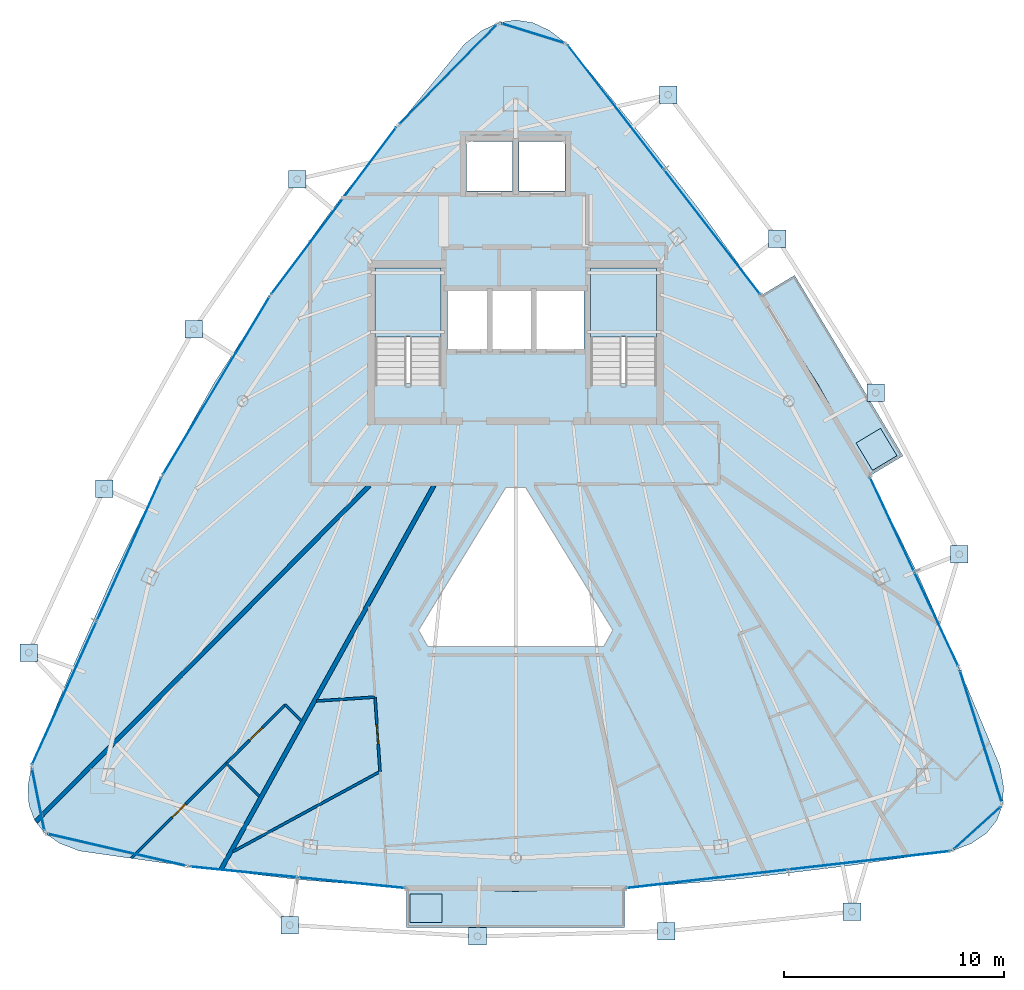
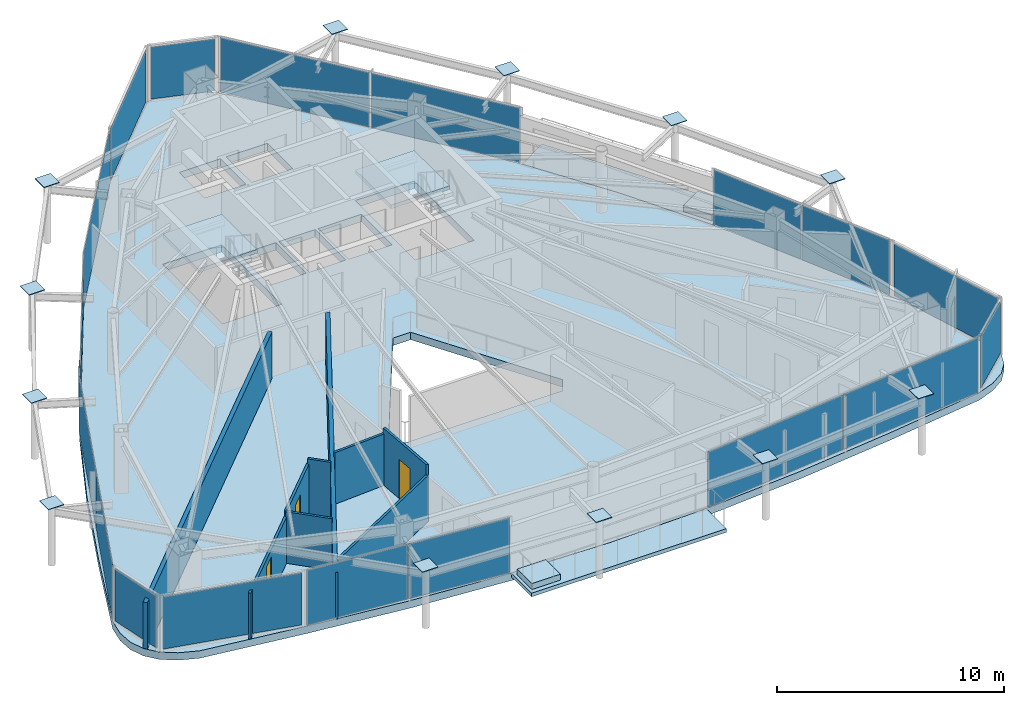
# One storey, part 24 of 29: 30 plates, 9 walls, 7 slabs, 3 doors, 3 openings, 15 elements without a shape of their own.
"""IFC4 building model written with IfcOpenShell, lengths in metres."""

import ifcopenshell
import ifcopenshell.guid

model = None  # the IFC model being written
_history = None  # IfcOwnerHistory: only IFC2X3 demands one
_inside = {}  # id of a spatial element -> (the spatial element, [elements in it])
_under = {}  # id of a project, library or spatial element -> (it, [spatial elements below it])
_declared = {}  # id of a project -> (the project, [libraries it declares])
_typed = {}  # id of a type object -> (the type object, [elements of that type])
_made_of = {}  # id of a material, layer set ... -> (it, [elements and type objects made of it])


def new_model(schema):
    """Start an empty IFC model of exactly this schema.

    Asked for "IFC4X3", IfcOpenShell would pick the latest addendum, in which some entities
    have other attributes; the version numbers below select the first issue.
    IFC2X3 requires an IfcOwnerHistory on every rooted entity: one is made here for all.
    """
    global model, _history
    if schema == "IFC4X3":
        model = ifcopenshell.file(schema_version=(4, 3, 0, 0))
    else:
        model = ifcopenshell.file(schema=schema)
    _inside.clear()
    _under.clear()
    _declared.clear()
    _typed.clear()
    _made_of.clear()
    _history = None
    if model.schema == "IFC2X3":
        org = make("IfcOrganization", Name="unknown")
        user = make(
            "IfcPersonAndOrganization",
            ThePerson=make("IfcPerson", FamilyName="unknown"),
            TheOrganization=org,
        )
        app = make(
            "IfcApplication",
            ApplicationDeveloper=org,
            Version="unknown",
            ApplicationFullName="unknown",
            ApplicationIdentifier="unknown",
        )
        _history = make(
            "IfcOwnerHistory",
            OwningUser=user,
            OwningApplication=app,
            ChangeAction="ADDED",
            CreationDate=0,
        )
    return model


def make(cls, **values):
    """One entity of the class cls with the attributes given. An attribute that is None is left unset."""
    return model.create_entity(
        cls, **{name: value for name, value in values.items() if value is not None}
    )


def rooted(cls, **values):
    """An entity with a GlobalId (a new one), such as an element, a storey or a relation."""
    return make(cls, GlobalId=ifcopenshell.guid.new(), OwnerHistory=_history, **values)


def si_unit(unit_type, name, prefix=None):
    """IfcSIUnit, for example si_unit("LENGTHUNIT", "METRE", prefix="MILLI")."""
    return make("IfcSIUnit", UnitType=unit_type, Prefix=prefix, Name=name)


def assignment(units):
    """IfcUnitAssignment: the units of a project."""
    return None if units is None else make("IfcUnitAssignment", Units=units)


def point(xyz):
    """IfcCartesianPoint."""
    return None if xyz is None else make("IfcCartesianPoint", Coordinates=xyz)


def direction(xyz):
    """IfcDirection."""
    return None if xyz is None else make("IfcDirection", DirectionRatios=xyz)


def frame(location, z_axis=None, x_axis=None):
    """IfcAxis2Placement3D, a coordinate frame: its origin and axes. An axis left out is left unset."""
    return make(
        "IfcAxis2Placement3D",
        Location=point(location),
        Axis=direction(z_axis),
        RefDirection=direction(x_axis),
    )


def frame_2d(location, x_axis=None):
    """IfcAxis2Placement2D, a coordinate frame in the plane: its origin and x axis."""
    return make(
        "IfcAxis2Placement2D", Location=point(location), RefDirection=direction(x_axis)
    )


def origin():
    """The frame at (0, 0, 0) with its axes left unset."""
    return frame((0.0, 0.0, 0.0))


def origin_2d():
    """The frame at (0, 0) in the plane with its x axis left unset."""
    return frame_2d((0.0, 0.0))


def place(relative_to, where):
    """IfcLocalPlacement: puts the frame where relative to a parent placement (None: the world)."""
    return make(
        "IfcLocalPlacement", PlacementRelTo=relative_to, RelativePlacement=where
    )


def context(
    kind, dimensions, precision=None, world=None, true_north=None, identifier=None
):
    """IfcGeometricRepresentationContext, for example the 3D "Model" context."""
    return make(
        "IfcGeometricRepresentationContext",
        ContextIdentifier=identifier,
        ContextType=kind,
        CoordinateSpaceDimension=dimensions,
        Precision=precision,
        WorldCoordinateSystem=world,
        TrueNorth=true_north,
    )


def subcontext(parent, identifier, kind, view, scale=None):
    """IfcGeometricRepresentationSubContext, for example "Body" below "Model"."""
    return make(
        "IfcGeometricRepresentationSubContext",
        ContextIdentifier=identifier,
        ContextType=kind,
        ParentContext=parent,
        TargetScale=scale,
        TargetView=view,
    )


def project(units=None, contexts=None):
    """IfcProject with its units and contexts."""
    return rooted(
        "IfcProject",
        Name="project",
        RepresentationContexts=contexts,
        UnitsInContext=assignment(units),
    )


def spatial(cls, under=None, at=None, **own):
    """A site, building, storey or space (cls), placed at a placement, below another one or the project."""
    s = rooted(cls, ObjectPlacement=at, **own)
    if under is not None:
        _under.setdefault(under.id(), (under, []))[1].append(s)
    return s


def polyline(points):
    """IfcPolyline through the points."""
    return make("IfcPolyline", Points=[point(p) for p in points])


def profile(cls, at=None, kind="AREA", **sizes):
    """A parametric profile (cls). Its sizes go by their IFC names, for example OverallWidth=200.0."""
    return make(cls, ProfileType=kind, Position=at, **sizes)


def rectangle(**sizes):
    """IfcRectangleProfileDef."""
    return profile("IfcRectangleProfileDef", **sizes)


def outline(outer, holes=None, kind="AREA"):
    """IfcArbitraryClosedProfileDef: a profile drawn as a closed curve; with holes, ...WithVoids."""
    if holes is None:
        return make("IfcArbitraryClosedProfileDef", ProfileType=kind, OuterCurve=outer)
    return make(
        "IfcArbitraryProfileDefWithVoids",
        ProfileType=kind,
        OuterCurve=outer,
        InnerCurves=holes,
    )


def extrude(swept, where, along, depth):
    """IfcExtrudedAreaSolid: the profile swept, set in the frame where, extruded along a direction by depth."""
    return make(
        "IfcExtrudedAreaSolid",
        SweptArea=swept,
        Position=where,
        ExtrudedDirection=direction(along),
        Depth=depth,
    )


def shape(context_of_items, identifier, shape_type, items):
    """IfcShapeRepresentation: the items that make up one representation, for example the "Body"."""
    return make(
        "IfcShapeRepresentation",
        ContextOfItems=context_of_items,
        RepresentationIdentifier=identifier,
        RepresentationType=shape_type,
        Items=items,
    )


def material(Name=None, Category=None):
    """IfcMaterial."""
    return make("IfcMaterial", Name=Name, Category=Category)


def layer(
    of_material, thickness, ventilated=None, Name=None, Category=None, Priority=None
):
    """IfcMaterialLayer: one layer of a wall or slab, of a material (None: an air gap)."""
    return make(
        "IfcMaterialLayer",
        Material=of_material,
        LayerThickness=thickness,
        IsVentilated=ventilated,
        Name=Name,
        Category=Category,
        Priority=Priority,
    )


def layer_set(layers, Name=None):
    """IfcMaterialLayerSet."""
    return make("IfcMaterialLayerSet", MaterialLayers=layers, LayerSetName=Name)


def made_of(thing, what):
    """Note that an element or type object is made of a material, layer set ...; save() writes the relation."""
    if what is not None:
        _made_of.setdefault(what.id(), (what, []))[1].append(thing)
    return thing


def type_object(cls, material=None, **own):
    """A type object (cls), such as IfcWallType, which elements share."""
    return made_of(rooted(cls, **own), material)


def element(
    cls,
    number,
    at=None,
    inside=None,
    cuts=None,
    type_object=None,
    material=None,
    context=None,
    identifier="Body",
    shape_type=None,
    held_by="IfcProductDefinitionShape",
    body=None,
    shapes=None,
    **own,
):
    """One element of the class cls, such as IfcWall. Its Tag is "e" and its number.

    at: its placement. inside: the storey or other place that contains it. cuts: it is an
    opening in that element (IfcRelVoidsElement). A single representation is given by context,
    identifier, shape_type and body (its items); several are given by shapes. held_by: the class
    of the entity that holds the representations. save() writes the other relations.
    """
    e = rooted(cls, Tag="e%d" % number, ObjectPlacement=at, **own)
    if body is not None:
        shapes = [shape(context, identifier, shape_type, body)]
    if shapes is not None:
        e.Representation = make(held_by, Representations=shapes)
    if inside is not None:
        _inside.setdefault(inside.id(), (inside, []))[1].append(e)
    if cuts is not None:
        rooted(
            "IfcRelVoidsElement", RelatingBuildingElement=cuts, RelatedOpeningElement=e
        )
    if type_object is not None:
        _typed.setdefault(type_object.id(), (type_object, []))[1].append(e)
    return made_of(e, material)


def fill(opening, filler):
    """IfcRelFillsElement: the door or window that sits in an opening."""
    return rooted(
        "IfcRelFillsElement",
        RelatingOpeningElement=opening,
        RelatedBuildingElement=filler,
    )


def aggregate(whole, parts):
    """IfcRelAggregates: a whole, such as a stair, and the parts it consists of."""
    return rooted("IfcRelAggregates", RelatingObject=whole, RelatedObjects=parts)


def save(model, path):
    """Write the relations noted so far, then the file.

    IfcRelAggregates (storeys below a building ...), IfcRelContainedInSpatialStructure (elements
    in a storey), IfcRelDefinesByType, IfcRelAssociatesMaterial and IfcRelDeclares: one each for
    every whole, place, type object, material and project.
    """
    for whole, parts in _under.values():
        aggregate(whole, parts)
    for where, things in _inside.values():
        rooted(
            "IfcRelContainedInSpatialStructure",
            RelatedElements=things,
            RelatingStructure=where,
        )
    for kind, things in _typed.values():
        rooted("IfcRelDefinesByType", RelatedObjects=things, RelatingType=kind)
    for what, things in _made_of.values():
        rooted("IfcRelAssociatesMaterial", RelatedObjects=things, RelatingMaterial=what)
    for by, libraries in _declared.values():
        rooted("IfcRelDeclares", RelatingContext=by, RelatedDefinitions=libraries)
    model.write(path)


model = new_model("IFC4")

# Units and contexts
model_context = context("Model", 3, precision=1e-05, world=origin(), true_north=direction((0.0, 1.0)))
body_context = subcontext(model_context, "Body", "Model", "MODEL_VIEW")
ifc_project = project(units=[si_unit("LENGTHUNIT", "METRE"), si_unit("AREAUNIT", "SQUARE_METRE"), si_unit("VOLUMEUNIT", "CUBIC_METRE"), si_unit("PLANEANGLEUNIT", "RADIAN"), si_unit("MASSUNIT", "GRAM", prefix="KILO")], contexts=[model_context])

# Site, building, storey
site_placement = place(None, origin())
site = spatial("IfcSite", under=ifc_project, at=site_placement, CompositionType="ELEMENT")
building_placement = place(site_placement, origin())
building = spatial("IfcBuilding", under=site, at=building_placement, Name="Orvanel Arch Residences", CompositionType="ELEMENT")
storey_placement = place(building_placement, frame((0.0, 0.0, 256.85009765625)))
storey = spatial("IfcBuildingStorey", under=building, at=storey_placement, Name="L73", CompositionType="ELEMENT", Elevation=256.85009765625)

# Plates
ifc_material_1 = material(Name="Structural steel AS/NZS 3678 Grade 350", Category="steel")
ifc_layer_1 = layer(ifc_material_1, 0.031982421875)
ifc_layer_set_1 = layer_set([ifc_layer_1], Name="Structural steel AS/NZS 3678 Grade 350")
plate_type_1 = type_object("IfcPlateType", Name="PL-CAP-32", PredefinedType="SHEET", material=ifc_layer_set_1)
for number, where, z_axis, x_axis, name in (
    (1, (23.052001953125, 37.73193359375, 3.28369140625), (0.0, 0.0, 1.0), (1.0, 0.0, 0.0), "L73 hollow member end cap plate"),
    (2, (18.35400390625, 30.909912109375, 3.28369140625), (0.0, 0.0, 1.0), (1.0, 0.0, 0.0), "L73 hollow member end cap plate"),
    (3, (14.281005859375, 23.658935546875, 3.28369140625), (0.0, 0.0, 1.0), (1.0, 0.0, 0.0), "L73 hollow member end cap plate"),
    (4, (10.841064453125, 16.197021484375, 3.28369140625), (0.0, 0.0, 1.0), (1.0, 0.0, 0.0), "L73 hollow member end cap plate"),
    (5, (22.716064453125, 3.7958984375, 3.28369140625), (0.0, 0.0, 1.0), (1.0, 0.0, 0.0), "L73 hollow member end cap plate"),
    (6, (31.260986328125, 3.278076171875, 3.28369140625), (0.0, 0.0, 1.0), (1.0, 0.0, 0.0), "L73 hollow member end cap plate"),
    (7, (39.85205078125, 3.514892578125, 3.28369140625), (0.0, 0.0, 1.0), (1.0, 0.0, 0.0), "L73 hollow member end cap plate"),
    (8, (48.302978515625, 4.402099609375, 3.28369140625), (0.0, 0.0, 1.0), (1.0, 0.0, 0.0), "L73 hollow member end cap plate"),
    (9, (53.18408203125, 20.66796875, 3.28369140625), (0.0, 0.0, 1.0), (1.0, 0.0, 0.0), "L73 hollow member end cap plate"),
    (10, (49.376953125, 28.02294921875, 3.28369140625), (0.0, 0.0, 1.0), (1.0, 0.0, 0.0), "L73 hollow member end cap plate"),
    (11, (44.89697265625, 35.031005859375, 3.28369140625), (0.0, 0.0, 1.0), (1.0, 0.0, 0.0), "L73 hollow member end cap plate"),
    (12, (39.93408203125, 41.5791015625, 3.28369140625), (0.0, 0.0, 1.0), (1.0, 0.0, 0.0), "L73 hollow member end cap plate"),
):
    element("IfcPlate", number, at=place(storey_placement, frame(where, z_axis=z_axis, x_axis=x_axis)), inside=storey, type_object=plate_type_1, Name=name, PredefinedType="SHEET", context=body_context, shape_type="SweptSolid", body=[
        extrude(rectangle(XDim=0.800048828125, YDim=0.800048828125, at=origin_2d()), origin(), (0.0, 0.0, 1.0), 0.031982421875),
    ])

# Curtain wall, plate
ifc_material_2 = material(Name="Bronze-anodised aluminium AA6063-T6", Category="aluminium")
ifc_layer_2 = layer(ifc_material_2, 0.175048828125)
ifc_layer_set_2 = layer_set([ifc_layer_2], Name="Bronze-anodised aluminium AA6063-T6")
curtain_wall_type_1 = type_object("IfcCurtainWallType", Name="CW4-HI-SYS", PredefinedType="NOTDEFINED", material=ifc_layer_set_2)
curtain_wall_1_placement = place(storey_placement, origin())
curtain_wall_1 = element("IfcCurtainWall", 13, at=curtain_wall_1_placement, inside=storey, type_object=curtain_wall_type_1, Name="L73 CW4-HI-SYS Unitised Curtain Wall", PredefinedType="NOTDEFINED")
ifc_material_3 = material(Name="Double-glazed solar-control low-E safety glass", Category="glass")
ifc_layer_3 = layer(ifc_material_3, 0.028076171875)
ifc_layer_set_3 = layer_set([ifc_layer_3], Name="Double-glazed solar-control low-E safety glass")
plate_type_2 = type_object("IfcPlateType", Name="PNL-GLZ-28", PredefinedType="CURTAIN_PANEL", material=ifc_layer_set_3)
plate_1_placement = place(storey_placement, frame((24.722412109375, 36.300537109375, 0.059814453125), z_axis=(0.0, 0.0, 1.0), x_axis=(-0.600150105151, -0.79988739913, 0.0)))
plate_1 = element("IfcPlate", 14, at=plate_1_placement, type_object=plate_type_2, Name="CW-S4 panel 1.1", PredefinedType="CURTAIN_PANEL", context=body_context, shape_type="SweptSolid", body=[
    extrude(rectangle(XDim=9.462646484375, YDim=0.028076171875, at=origin_2d()), origin(), (0.0, 0.0, 1.0), 2.93994140625),
])
aggregate(curtain_wall_1, [plate_1])

curtain_wall_2_placement = place(storey_placement, origin())
curtain_wall_2 = element("IfcCurtainWall", 15, at=curtain_wall_2_placement, inside=storey, type_object=curtain_wall_type_1, Name="L73 CW4-HI-SYS Unitised Curtain Wall", PredefinedType="NOTDEFINED")
plate_2_placement = place(storey_placement, frame((19.367919921875, 28.339599609375, 0.059814453125), z_axis=(0.0, 0.0, 1.0), x_axis=(-0.514357043174, -0.857576137808, 0.0)))
plate_2 = element("IfcPlate", 16, at=plate_2_placement, type_object=plate_type_2, Name="CW-S4 panel 1.1", PredefinedType="CURTAIN_PANEL", context=body_context, shape_type="SweptSolid", body=[
    extrude(rectangle(XDim=9.412109375, YDim=0.028076171875, at=origin_2d()), origin(), (0.0, 0.0, 1.0), 2.93994140625),
])
aggregate(curtain_wall_2, [plate_2])

# Curtain wall, plates
curtain_wall_3_placement = place(storey_placement, origin())
curtain_wall_3 = element("IfcCurtainWall", 17, at=curtain_wall_3_placement, inside=storey, type_object=curtain_wall_type_1, Name="L73 CW4-HI-SYS Unitised Curtain Wall", PredefinedType="NOTDEFINED")
plate_3_placement = place(storey_placement, frame((15.40869140625, 20.907958984375, 0.059814453125), z_axis=(0.0, 0.0, 1.0), x_axis=(-0.410396368338, -0.911907243559, 0.0)))
plate_3 = element("IfcPlate", 18, at=plate_3_placement, type_object=plate_type_2, Name="CW-S4 panel 1.1", PredefinedType="CURTAIN_PANEL", context=body_context, shape_type="SweptSolid", body=[
    extrude(rectangle(XDim=7.11865234375, YDim=0.028076171875, at=origin_2d()), origin(), (0.0, 0.0, 1.0), 2.93994140625),
])
plate_4_placement = place(storey_placement, frame((12.46044921875, 14.357177734375, 0.059814453125), z_axis=(0.0, 0.0, 1.0), x_axis=(-0.410396368338, -0.911907243559, 0.0)))
plate_4 = element("IfcPlate", 19, at=plate_4_placement, type_object=plate_type_2, Name="CW-S4 panel 2.1", PredefinedType="CURTAIN_PANEL", context=body_context, shape_type="SweptSolid", body=[
    extrude(rectangle(XDim=7.11865234375, YDim=0.028076171875, at=origin_2d()), origin(), (0.0, 0.0, 1.0), 2.93994140625),
])
aggregate(curtain_wall_3, [plate_3, plate_4])

curtain_wall_4_placement = place(storey_placement, origin())
curtain_wall_4 = element("IfcCurtainWall", 20, at=curtain_wall_4_placement, inside=storey, type_object=curtain_wall_type_1, Name="L73 CW4-HI-SYS Unitised Curtain Wall", PredefinedType="NOTDEFINED")
plate_5_placement = place(storey_placement, frame((20.623779296875, 6.212158203125, 0.059814453125), z_axis=(0.0, 0.0, 1.0), x_axis=(0.995029211484, -0.099583474002, 0.0)))
plate_5 = element("IfcPlate", 21, at=plate_5_placement, type_object=plate_type_2, Name="CW-S4 panel 1.1", PredefinedType="CURTAIN_PANEL", context=body_context, shape_type="SweptSolid", body=[
    extrude(rectangle(XDim=4.8681640625, YDim=0.028076171875, at=origin_2d()), origin(), (0.0, 0.0, 1.0), 2.93994140625),
])
plate_6_placement = place(storey_placement, frame((25.5322265625, 5.720947265625, 0.059814453125), z_axis=(0.0, 0.0, 1.0), x_axis=(0.995029211484, -0.099583474002, 0.0)))
plate_6 = element("IfcPlate", 22, at=plate_6_placement, type_object=plate_type_2, Name="CW-S4 panel 2.1", PredefinedType="CURTAIN_PANEL", context=body_context, shape_type="SweptSolid", body=[
    extrude(rectangle(XDim=4.8681640625, YDim=0.028076171875, at=origin_2d()), origin(), (0.0, 0.0, 1.0), 2.93994140625),
])
aggregate(curtain_wall_4, [plate_5, plate_6])

curtain_wall_5_placement = place(storey_placement, origin())
curtain_wall_5 = element("IfcCurtainWall", 23, at=curtain_wall_5_placement, inside=storey, type_object=curtain_wall_type_1, Name="L73 CW4-HI-SYS Unitised Curtain Wall", PredefinedType="NOTDEFINED")
plate_7_placement = place(storey_placement, frame((41.7080078125, 5.896728515625, 0.059814453125), z_axis=(0.0, 0.0, 1.0), x_axis=(0.993565426136, 0.113259630878, 0.0)))
plate_7 = element("IfcPlate", 24, at=plate_7_placement, type_object=plate_type_2, Name="CW-S4 panel 1.1", PredefinedType="CURTAIN_PANEL", context=body_context, shape_type="SweptSolid", body=[
    extrude(rectangle(XDim=7.3720703125, YDim=0.028076171875, at=origin_2d()), origin(), (0.0, 0.0, 1.0), 2.93994140625),
])
plate_8_placement = place(storey_placement, frame((49.09716796875, 6.7392578125, 0.059814453125), z_axis=(0.0, 0.0, 1.0), x_axis=(0.993565426136, 0.113259630878, 0.0)))
plate_8 = element("IfcPlate", 25, at=plate_8_placement, type_object=plate_type_2, Name="CW-S4 panel 2.1", PredefinedType="CURTAIN_PANEL", context=body_context, shape_type="SweptSolid", body=[
    extrude(rectangle(XDim=7.3720703125, YDim=0.028076171875, at=origin_2d()), origin(), (0.0, 0.0, 1.0), 2.93994140625),
])
aggregate(curtain_wall_5, [plate_7, plate_8])

curtain_wall_6_placement = place(storey_placement, origin())
curtain_wall_6 = element("IfcCurtainWall", 26, at=curtain_wall_6_placement, inside=storey, type_object=curtain_wall_type_1, Name="L73 CW4-HI-SYS Unitised Curtain Wall", PredefinedType="NOTDEFINED")
plate_9_placement = place(storey_placement, frame((52.142822265625, 17.70947265625, 0.059814453125), z_axis=(0.0, 0.0, 1.0), x_axis=(-0.423330539235, 0.905975305707, 0.0)))
plate_9 = element("IfcPlate", 27, at=plate_9_placement, type_object=plate_type_2, Name="CW-S4 panel 1.1", PredefinedType="CURTAIN_PANEL", context=body_context, shape_type="SweptSolid", body=[
    extrude(rectangle(XDim=4.698974609375, YDim=0.028076171875, at=origin_2d()), origin(), (0.0, 0.0, 1.0), 2.93994140625),
])
plate_10_placement = place(storey_placement, frame((50.126220703125, 22.025634765625, 0.059814453125), z_axis=(0.0, 0.0, 1.0), x_axis=(-0.423330539235, 0.905975305707, 0.0)))
plate_10 = element("IfcPlate", 28, at=plate_10_placement, type_object=plate_type_2, Name="CW-S4 panel 2.1", PredefinedType="CURTAIN_PANEL", context=body_context, shape_type="SweptSolid", body=[
    extrude(rectangle(XDim=4.698974609375, YDim=0.028076171875, at=origin_2d()), origin(), (0.0, 0.0, 1.0), 2.93994140625),
])
aggregate(curtain_wall_6, [plate_9, plate_10])

curtain_wall_7_placement = place(storey_placement, origin())
curtain_wall_7 = element("IfcCurtainWall", 29, at=curtain_wall_7_placement, inside=storey, type_object=curtain_wall_type_1, Name="L73 CW4-HI-SYS Unitised Curtain Wall", PredefinedType="NOTDEFINED")
plate_11_placement = place(storey_placement, frame((41.9404296875, 35.331787109375, 0.059814453125), z_axis=(0.0, 0.0, 1.0), x_axis=(-0.611380446006, 0.791336812136, 0.0)))
plate_11 = element("IfcPlate", 30, at=plate_11_placement, type_object=plate_type_2, Name="CW-S4 panel 1.1", PredefinedType="CURTAIN_PANEL", context=body_context, shape_type="SweptSolid", body=[
    extrude(rectangle(XDim=7.1181640625, YDim=0.028076171875, at=origin_2d()), origin(), (0.0, 0.0, 1.0), 2.93994140625),
])
plate_12_placement = place(storey_placement, frame((37.548583984375, 41.01611328125, 0.059814453125), z_axis=(0.0, 0.0, 1.0), x_axis=(-0.611380446006, 0.791336812136, 0.0)))
plate_12 = element("IfcPlate", 31, at=plate_12_placement, type_object=plate_type_2, Name="CW-S4 panel 2.1", PredefinedType="CURTAIN_PANEL", context=body_context, shape_type="SweptSolid", body=[
    extrude(rectangle(XDim=7.1181640625, YDim=0.028076171875, at=origin_2d()), origin(), (0.0, 0.0, 1.0), 2.93994140625),
])
aggregate(curtain_wall_7, [plate_11, plate_12])

# Curtain wall, plate
ifc_layer_4 = layer(ifc_material_2, 0.18994140625)
ifc_layer_set_4 = layer_set([ifc_layer_4], Name="Bronze-anodised aluminium AA6063-T6")
curtain_wall_type_2 = type_object("IfcCurtainWallType", Name="CW5-CRN-SYS", PredefinedType="NOTDEFINED", material=ifc_layer_set_4)
curtain_wall_8_placement = place(storey_placement, origin())
curtain_wall_8 = element("IfcCurtainWall", 32, at=curtain_wall_8_placement, inside=storey, type_object=curtain_wall_type_2, Name="L73 CW5-CRN-SYS Unitised Curtain Wall", PredefinedType="NOTDEFINED")
ifc_layer_5 = layer(ifc_material_3, 0.031982421875)
ifc_layer_set_5 = layer_set([ifc_layer_5], Name="Double-glazed solar-control low-E safety glass")
plate_type_3 = type_object("IfcPlateType", Name="PNL-GLZ-32", PredefinedType="CURTAIN_PANEL", material=ifc_layer_set_5)
plate_13_placement = place(storey_placement, frame((33.7734375, 44.381591796875, 0.1298828125), z_axis=(0.0, 0.0, 1.0), x_axis=(-0.954862682861, 0.297047566696, 0.0)))
plate_13 = element("IfcPlate", 33, at=plate_13_placement, type_object=plate_type_3, Name="CW-S5 panel 1.1", PredefinedType="CURTAIN_PANEL", context=body_context, shape_type="SweptSolid", body=[
    extrude(rectangle(XDim=2.901611328125, YDim=0.031982421875, at=origin_2d()), origin(), (0.0, 0.0, 1.0), 2.800048828125),
])
aggregate(curtain_wall_8, [plate_13])

curtain_wall_9_placement = place(storey_placement, origin())
curtain_wall_9 = element("IfcCurtainWall", 34, at=curtain_wall_9_placement, inside=storey, type_object=curtain_wall_type_2, Name="L73 CW5-CRN-SYS Unitised Curtain Wall", PredefinedType="NOTDEFINED")
plate_14_placement = place(storey_placement, frame((29.91943359375, 42.508056640625, 0.1298828125), z_axis=(0.0, 0.0, 1.0), x_axis=(-0.699666990307, -0.714469105473, 0.0)))
plate_14 = element("IfcPlate", 35, at=plate_14_placement, type_object=plate_type_3, Name="CW-S5 panel 1.1", PredefinedType="CURTAIN_PANEL", context=body_context, shape_type="SweptSolid", body=[
    extrude(rectangle(XDim=6.253173828125, YDim=0.031982421875, at=origin_2d()), origin(), (0.0, 0.0, 1.0), 2.800048828125),
])
aggregate(curtain_wall_9, [plate_14])

curtain_wall_10_placement = place(storey_placement, origin())
curtain_wall_10 = element("IfcCurtainWall", 36, at=curtain_wall_10_placement, inside=storey, type_object=curtain_wall_type_2, Name="L73 CW5-CRN-SYS Unitised Curtain Wall", PredefinedType="NOTDEFINED")
plate_15_placement = place(storey_placement, frame((11.27001953125, 9.50390625, 0.1298828125), z_axis=(0.0, 0.0, 1.0), x_axis=(0.195491601364, -0.980705375633, 0.0)))
plate_15 = element("IfcPlate", 37, at=plate_15_placement, type_object=plate_type_3, Name="CW-S5 panel 1.1", PredefinedType="CURTAIN_PANEL", context=body_context, shape_type="SweptSolid", body=[
    extrude(rectangle(XDim=2.779296875, YDim=0.031982421875, at=origin_2d()), origin(), (0.0, 0.0, 1.0), 2.800048828125),
])
aggregate(curtain_wall_10, [plate_15])

curtain_wall_11_placement = place(storey_placement, origin())
curtain_wall_11 = element("IfcCurtainWall", 38, at=curtain_wall_11_placement, inside=storey, type_object=curtain_wall_type_2, Name="L73 CW5-CRN-SYS Unitised Curtain Wall", PredefinedType="NOTDEFINED")
plate_16_placement = place(storey_placement, frame((14.845947265625, 7.218505859375, 0.1298828125), z_axis=(0.0, 0.0, 1.0), x_axis=(0.974388670683, -0.224870448137, 0.0)))
plate_16 = element("IfcPlate", 39, at=plate_16_placement, type_object=plate_type_3, Name="CW-S5 panel 1.1", PredefinedType="CURTAIN_PANEL", context=body_context, shape_type="SweptSolid", body=[
    extrude(rectangle(XDim=6.375, YDim=0.031982421875, at=origin_2d()), origin(), (0.0, 0.0, 1.0), 2.800048828125),
])
aggregate(curtain_wall_11, [plate_16])

curtain_wall_12_placement = place(storey_placement, origin())
curtain_wall_12 = element("IfcCurtainWall", 40, at=curtain_wall_12_placement, inside=storey, type_object=curtain_wall_type_2, Name="L73 CW5-CRN-SYS Unitised Curtain Wall", PredefinedType="NOTDEFINED")
plate_17_placement = place(storey_placement, frame((53.99951171875, 8.214599609375, 0.1298828125), z_axis=(0.0, 0.0, 1.0), x_axis=(0.740365843875, 0.672204148472, 0.0)))
plate_17 = element("IfcPlate", 41, at=plate_17_placement, type_object=plate_type_3, Name="CW-S5 panel 1.1", PredefinedType="CURTAIN_PANEL", context=body_context, shape_type="SweptSolid", body=[
    extrude(rectangle(XDim=2.781005859375, YDim=0.031982421875, at=origin_2d()), origin(), (0.0, 0.0, 1.0), 2.800048828125),
])
aggregate(curtain_wall_12, [plate_17])

curtain_wall_13_placement = place(storey_placement, origin())
curtain_wall_13 = element("IfcCurtainWall", 42, at=curtain_wall_13_placement, inside=storey, type_object=curtain_wall_type_2, Name="L73 CW5-CRN-SYS Unitised Curtain Wall", PredefinedType="NOTDEFINED")
plate_18_placement = place(storey_placement, frame((54.1640625, 12.383544921875, 0.1298828125), z_axis=(0.0, 0.0, 1.0), x_axis=(-0.302689910097, 0.953089092544, 0.0)))
plate_18 = element("IfcPlate", 43, at=plate_18_placement, type_object=plate_type_3, Name="CW-S5 panel 1.1", PredefinedType="CURTAIN_PANEL", context=body_context, shape_type="SweptSolid", body=[
    extrude(rectangle(XDim=6.208251953125, YDim=0.031982421875, at=origin_2d()), origin(), (0.0, 0.0, 1.0), 2.800048828125),
])
aggregate(curtain_wall_13, [plate_18])

# Slabs
ifc_material_4 = material(Name="Concrete N40 (40 MPa)", Category="concrete")
ifc_layer_6 = layer(ifc_material_4, 0.199951171875)
ifc_layer_set_6 = layer_set([ifc_layer_6], Name="Concrete N40 (40 MPa)")
slab_type_1 = type_object("IfcSlabType", Name="SLB-BAL-200", PredefinedType="FLOOR", material=ifc_layer_set_6)
slab_1_placement = place(storey_placement, frame((0.0, 0.0, -0.2001953125)))
element("IfcSlab", 44, at=slab_1_placement, inside=storey, type_object=slab_type_1, Name="L73 Cantilevered Balcony Slab Face 2", PredefinedType="FLOOR", context=body_context, shape_type="SweptSolid", body=[
    extrude(outline(polyline([(28.0390625, 3.68994140625), (37.9609375, 3.68994140625), (37.9609375, 5.469970703125), (33.0, 5.330078125), (28.0390625, 5.469970703125), (28.0390625, 3.68994140625)])), origin(), (0.0, 0.0, 1.0), 0.2001953125),
])
slab_2_placement = place(storey_placement, frame((0.0, 0.0, -0.2001953125)))
element("IfcSlab", 45, at=slab_2_placement, inside=storey, type_object=slab_type_1, Name="L73 Cantilevered Balcony Slab Face 3", PredefinedType="FLOOR", context=body_context, shape_type="SweptSolid", body=[
    extrude(outline(polyline([(50.623046875, 25.14697265625), (45.694091796875, 33.363037109375), (44.16796875, 32.447998046875), (46.751953125, 28.412109375), (49.095947265625, 24.23095703125), (50.623046875, 25.14697265625)])), origin(), (0.0, 0.0, 1.0), 0.2001953125),
])

# Stair, slab
ifc_material_5 = material(Name="Precast concrete N50 (50 MPa)", Category="concrete")
stair_type = type_object("IfcStairType", Name="STR-DOG-184", PredefinedType="USERDEFINED", material=ifc_material_5)
stair_1_placement = place(storey_placement, origin())
stair_1 = element("IfcStair", 46, at=stair_1_placement, inside=storey, type_object=stair_type, Name="L73 Fire-Isolated Core Exit Stair 1", ObjectType="TWO_RETURN_STAIR", PredefinedType="USERDEFINED")
ifc_layer_7 = layer(ifc_material_4, 0.199951171875)
ifc_layer_set_7 = layer_set([ifc_layer_7], Name="Concrete N40 (40 MPa)")
slab_type_2 = type_object("IfcSlabType", Name="SLB-LND-200", PredefinedType="LANDING", material=ifc_layer_set_7)
slab_3_placement = place(storey_placement, frame((0.0, 0.0, 1.449951171875)))
slab_3 = element("IfcSlab", 47, at=slab_3_placement, type_object=slab_type_2, Name="ST-1 landing 1", PredefinedType="LANDING", context=body_context, shape_type="SweptSolid", body=[
    extrude(outline(polyline([(29.60009765625, 30.56005859375), (29.60009765625, 33.699951171875), (26.60009765625, 33.699951171875), (26.60009765625, 30.56005859375), (29.60009765625, 30.56005859375)])), origin(), (0.0, 0.0, 1.0), 0.199951171875),
])
aggregate(stair_1, [slab_3])

stair_2_placement = place(storey_placement, origin())
stair_2 = element("IfcStair", 48, at=stair_2_placement, inside=storey, type_object=stair_type, Name="L73 Fire-Isolated Core Exit Stair 2", ObjectType="TWO_RETURN_STAIR", PredefinedType="USERDEFINED")
slab_4_placement = place(storey_placement, frame((0.0, 0.0, 1.449951171875)))
slab_4 = element("IfcSlab", 49, at=slab_4_placement, type_object=slab_type_2, Name="ST-2 landing 1", PredefinedType="LANDING", context=body_context, shape_type="SweptSolid", body=[
    extrude(outline(polyline([(39.39990234375, 30.56005859375), (39.39990234375, 33.699951171875), (36.39990234375, 33.699951171875), (36.39990234375, 30.56005859375), (39.39990234375, 30.56005859375)])), origin(), (0.0, 0.0, 1.0), 0.199951171875),
])
aggregate(stair_2, [slab_4])

# Slabs
ifc_material_6 = material(Name="Structural architectural precast concrete N40 (40 MPa) planter", Category="concrete")
ifc_layer_8 = layer(ifc_material_6, 0.320068359375)
ifc_layer_set_8 = layer_set([ifc_layer_8], Name="Structural architectural precast concrete N40 (40 MPa) planter")
slab_type_3 = type_object("IfcSlabType", Name="SLB-PLN-320", PredefinedType="USERDEFINED", material=ifc_layer_set_8)
slab_5_placement = place(storey_placement, origin())
element("IfcSlab", 50, at=slab_5_placement, inside=storey, type_object=slab_type_3, Name="L73 Balcony TREE PLANTER Face 2", ObjectType="PLANTER", PredefinedType="USERDEFINED", context=body_context, shape_type="SweptSolid", body=[
    extrude(outline(polyline([(28.18896484375, 3.919921875), (29.638916015625, 3.919921875), (29.638916015625, 5.219970703125), (28.18896484375, 5.219970703125), (28.18896484375, 3.919921875)])), origin(), (0.0, 0.0, 1.0), 0.31982421875),
])
slab_6_placement = place(storey_placement, origin())
element("IfcSlab", 51, at=slab_6_placement, inside=storey, type_object=slab_type_3, Name="L73 Balcony TREE PLANTER Face 3", ObjectType="PLANTER", PredefinedType="USERDEFINED", context=body_context, shape_type="SweptSolid", body=[
    extrude(outline(polyline([(50.347900390625, 25.156982421875), (49.60302734375, 26.40087890625), (48.488037109375, 25.73193359375), (49.23388671875, 24.489013671875), (50.347900390625, 25.156982421875)])), origin(), (0.0, 0.0, 1.0), 0.31982421875),
])
ifc_material_7 = material(Name="Concrete N50 (50 MPa)", Category="concrete")
ifc_layer_9 = layer(ifc_material_7, 0.39990234375)
ifc_layer_set_9 = layer_set([ifc_layer_9], Name="Concrete N50 (50 MPa)")
slab_type_4 = type_object("IfcSlabType", Name="SLB-TRF-400", PredefinedType="FLOOR", material=ifc_layer_set_9)
slab_7_placement = place(storey_placement, frame((0.0, 0.0, -0.400146484375)))
element("IfcSlab", 52, at=slab_7_placement, inside=storey, type_object=slab_type_4, Name="L73 Tower Floor Slab", PredefinedType="FLOOR", context=body_context, shape_type="SweptSolid", body=[
    extrude(outline(polyline([(35.321044921875, 43.89990234375), (34.547119140625, 44.501953125), (33.77392578125, 44.863037109375), (33.0, 44.98291015625), (32.22607421875, 44.863037109375), (31.452880859375, 44.501953125), (30.678955078125, 43.89990234375), (27.613037109375, 40.153076171875), (24.637939453125, 36.35107421875), (21.83203125, 32.447998046875), (19.248046875, 28.412109375), (16.904052734375, 24.23095703125), (14.781005859375, 19.9189453125), (12.826904296875, 15.50390625), (10.965087890625, 11.033935546875), (10.799072265625, 10.089111328125), (10.844970703125, 9.262939453125), (11.10400390625, 8.55908203125), (11.574951171875, 7.97412109375), (12.259033203125, 7.510009765625), (13.156005859375, 7.166015625), (18.116943359375, 6.462890625), (23.077880859375, 5.867919921875), (28.0390625, 5.469970703125), (33.0, 5.330078125), (37.9609375, 5.469970703125), (42.922119140625, 5.867919921875), (47.883056640625, 6.462890625), (52.843994140625, 7.166015625), (53.739990234375, 7.510009765625), (54.425048828125, 7.97412109375), (54.89599609375, 8.55908203125), (55.155029296875, 9.262939453125), (55.200927734375, 10.089111328125), (55.034912109375, 11.033935546875), (53.173095703125, 15.50390625), (51.218994140625, 19.9189453125), (49.095947265625, 24.23095703125), (46.751953125, 28.412109375), (44.16796875, 32.447998046875), (41.362060546875, 36.35107421875), (38.386962890625, 40.153076171875), (35.321044921875, 43.89990234375)]), holes=[polyline([(26.60009765625, 28.429931640625), (26.60009765625, 33.699951171875), (29.60009765625, 33.699951171875), (29.60009765625, 28.429931640625), (26.60009765625, 28.429931640625)]), polyline([(36.39990234375, 28.429931640625), (36.39990234375, 33.699951171875), (39.39990234375, 33.699951171875), (39.39990234375, 28.429931640625), (36.39990234375, 28.429931640625)]), polyline([(29.89990234375, 32.64990234375), (31.75, 32.64990234375), (31.75, 29.949951171875), (29.89990234375, 29.949951171875), (29.89990234375, 32.64990234375)]), polyline([(31.89990234375, 32.64990234375), (33.75, 32.64990234375), (33.75, 29.949951171875), (31.89990234375, 29.949951171875), (31.89990234375, 32.64990234375)]), polyline([(33.89990234375, 32.64990234375), (36.10009765625, 32.64990234375), (36.10009765625, 29.949951171875), (33.89990234375, 29.949951171875), (33.89990234375, 32.64990234375)]), polyline([(30.75, 39.449951171875), (32.85009765625, 39.449951171875), (32.85009765625, 37.199951171875), (30.75, 37.199951171875), (30.75, 39.449951171875)]), polyline([(33.14990234375, 39.449951171875), (35.25, 39.449951171875), (35.25, 37.199951171875), (33.14990234375, 37.199951171875), (33.14990234375, 39.449951171875)]), polyline([(37.423095703125, 17.215087890625), (37.011962890625, 16.48193359375), (28.988037109375, 16.48193359375), (28.576904296875, 17.215087890625), (32.552001953125, 23.717041015625), (33.447998046875, 23.717041015625), (37.423095703125, 17.215087890625)])]), origin(), (0.0, 0.0, 1.0), 0.400146484375),
])

# Walls
ifc_material_8 = material(Name="Fire-rated plasterboard lined steel stud partition", Category="steel")
ifc_layer_10 = layer(ifc_material_8, 0.199951171875)
ifc_layer_set_10 = layer_set([ifc_layer_10], Name="Fire-rated plasterboard lined steel stud partition")
wall_type_1 = type_object("IfcWallType", Name="W-DEM-200", PredefinedType="PARTITIONING", material=ifc_layer_set_10)
wall_1_placement = place(storey_placement, frame((19.574951171875, 6.302001953125, 0.0), z_axis=(0.0, 0.0, 1.0), x_axis=(0.485129783088, 0.874442161358, 0.0)))
element("IfcWall", 53, at=wall_1_placement, inside=storey, type_object=wall_type_1, Name="L73 Inter-Tenancy Acoustic Demising Wall", PredefinedType="PARTITIONING", context=body_context, shape_type="SweptSolid", body=[
    extrude(rectangle(XDim=19.9990234375, YDim=0.199951171875, at=frame_2d((9.99951171875, 0.0))), origin(), (0.0, 0.0, 1.0), 2.491943359375),
])
wall_2_placement = place(storey_placement, frame((26.337890625, 23.7900390625, 0.0), z_axis=(0.0, 0.0, 1.0), x_axis=(-0.70454576136, -0.70965855885, 0.0)))
element("IfcWall", 54, at=wall_2_placement, inside=storey, type_object=wall_type_1, Name="L73 Inter-Tenancy Acoustic Demising Wall", PredefinedType="PARTITIONING", context=body_context, shape_type="SweptSolid", body=[
    extrude(rectangle(XDim=21.53564453125, YDim=0.199951171875, at=frame_2d((10.767822265625, 0.0))), origin(), (0.0, 0.0, 1.0), 2.491943359375),
])

# Wall, opening, door
ifc_material_9 = material(Name="Acoustic plasterboard lined twin-stud partition", Category="gypsum")
ifc_layer_11 = layer(ifc_material_9, 0.1201171875)
ifc_layer_set_11 = layer_set([ifc_layer_11], Name="Acoustic plasterboard lined twin-stud partition")
wall_type_2 = type_object("IfcWallType", Name="W-WET-120", PredefinedType="PARTITIONING", material=ifc_layer_set_11)
wall_3_placement = place(storey_placement, frame((26.824951171875, 10.780029296875, 0.0), z_axis=(0.0, 0.0, 1.0), x_axis=(-0.066471315173, 0.997788336402, 0.0)))
wall_3 = element("IfcWall", 55, at=wall_3_placement, inside=storey, type_object=wall_type_2, Name="L73 Studio A Internal Partition", PredefinedType="PARTITIONING", context=body_context, shape_type="SweptSolid", body=[
    extrude(rectangle(XDim=3.3974609375, YDim=0.1201171875, at=frame_2d((1.69873046875, 0.0))), origin(), (0.0, 0.0, 1.0), 3.059814453125),
])
opening_1_placement = place(wall_3_placement, frame((1.259033203125, 0.0, 0.0)))
opening_1 = element("IfcOpeningElement", 56, at=opening_1_placement, cuts=wall_3, Name="Opening DI-088", PredefinedType="OPENING", context=body_context, shape_type="SweptSolid", body=[
    extrude(rectangle(XDim=0.8798828125, YDim=2.10009765625, at=frame_2d((0.43994140625, 1.050048828125))), frame((0.0, 0.070068359375, 0.0), z_axis=(0.0, -1.0, 0.0), x_axis=(1.0, 0.0, 0.0)), (0.0, 0.0, 1.0), 0.14013671875),
])
ifc_material_10 = material(Name="Solid-core European oak veneer fire door leaf", Category="wood")
door_type_1 = type_object("IfcDoorType", Name="DR-INT-880", OperationType="NOTDEFINED", PredefinedType="DOOR", material=ifc_material_10)
door_1_placement = place(opening_1_placement, origin())
door_1 = element("IfcDoor", 57, at=door_1_placement, inside=storey, type_object=door_type_1, Name="DR-L73-A-KIT L73 Studio A Kitchenette Door", OperationType="SINGLE_SWING_LEFT", OverallHeight=2.10009765625, OverallWidth=0.8798828125, PredefinedType="DOOR", context=body_context, shape_type="SweptSolid", body=[
    extrude(rectangle(XDim=0.8798828125, YDim=2.10009765625, at=frame_2d((0.43994140625, 1.050048828125))), frame((0.0, 0.02490234375, 0.0), z_axis=(0.0, -1.0, 0.0), x_axis=(1.0, 0.0, 0.0)), (0.0, 0.0, 1.0), 0.050048828125),
])
fill(opening_1, door_1)

# Walls
wall_4_placement = place(storey_placement, frame((26.59912109375, 14.169921875, 0.0), z_axis=(0.0, 0.0, 1.0), x_axis=(-0.99779365881, -0.066391373223, 0.0)))
element("IfcWall", 58, at=wall_4_placement, inside=storey, type_object=wall_type_2, Name="L73 Studio A Bathroom Partition", PredefinedType="PARTITIONING", context=body_context, shape_type="SweptSolid", body=[
    extrude(rectangle(XDim=2.666015625, YDim=0.1201171875, at=frame_2d((1.3330078125, 0.0))), origin(), (0.0, 0.0, 1.0), 2.77294921875),
])
wall_5_placement = place(storey_placement, frame((26.824951171875, 10.780029296875, 0.0), z_axis=(0.0, 0.0, 1.0), x_axis=(-0.87825059366, -0.478200684583, 0.0)))
element("IfcWall", 59, at=wall_5_placement, inside=storey, type_object=wall_type_2, Name="L73 Studio A Internal Partition", PredefinedType="PARTITIONING", context=body_context, shape_type="SweptSolid", body=[
    extrude(rectangle(XDim=7.6162109375, YDim=0.1201171875, at=frame_2d((3.80810546875, 0.0))), origin(), (0.0, 0.0, 1.0), 2.491943359375),
])
wall_6_placement = place(storey_placement, frame((23.242919921875, 13.087890625, 0.0), z_axis=(0.0, 0.0, 1.0), x_axis=(-0.706518163511, 0.707694909286, 0.0)))
element("IfcWall", 60, at=wall_6_placement, inside=storey, type_object=wall_type_2, Name="L73 Studio D Bathroom Partition", PredefinedType="PARTITIONING", context=body_context, shape_type="SweptSolid", body=[
    extrude(rectangle(XDim=1.037353515625, YDim=0.1201171875, at=frame_2d((0.5185546875, 0.0))), origin(), (0.0, 0.0, 1.0), 3.059814453125),
])

# Wall, opening, door
wall_7_placement = place(storey_placement, frame((22.510009765625, 13.822021484375, 0.0), z_axis=(0.0, 0.0, 1.0), x_axis=(-0.708172404385, -0.706039549649, 0.0)))
wall_7 = element("IfcWall", 61, at=wall_7_placement, inside=storey, type_object=wall_type_2, Name="L73 Studio D Bathroom Partition", PredefinedType="PARTITIONING", context=body_context, shape_type="SweptSolid", body=[
    extrude(rectangle(XDim=3.77734375, YDim=0.1201171875, at=frame_2d((1.888671875, 0.0))), origin(), (0.0, 0.0, 1.0), 2.77294921875),
])
opening_2_placement = place(wall_7_placement, frame((1.47900390625, 0.0, 0.0)))
opening_2 = element("IfcOpeningElement", 62, at=opening_2_placement, cuts=wall_7, Name="Opening DW-082", PredefinedType="OPENING", context=body_context, shape_type="SweptSolid", body=[
    extrude(rectangle(XDim=0.820068359375, YDim=2.10009765625, at=frame_2d((0.41015625, 1.050048828125))), frame((0.0, 0.070068359375, 0.0), z_axis=(0.0, -1.0, 0.0), x_axis=(1.0, 0.0, 0.0)), (0.0, 0.0, 1.0), 0.14013671875),
])
door_type_2 = type_object("IfcDoorType", Name="DR-WET-820", OperationType="NOTDEFINED", PredefinedType="DOOR", material=ifc_material_10)
door_2_placement = place(opening_2_placement, origin())
door_2 = element("IfcDoor", 63, at=door_2_placement, inside=storey, type_object=door_type_2, Name="DR-L73-D-BATH L73 Studio D Bathroom Door", OperationType="SINGLE_SWING_RIGHT", OverallHeight=2.10009765625, OverallWidth=0.820068359375, PredefinedType="DOOR", context=body_context, shape_type="SweptSolid", body=[
    extrude(rectangle(XDim=0.820068359375, YDim=2.10009765625, at=frame_2d((0.41015625, 1.050048828125))), frame((0.0, 0.02490234375, 0.0), z_axis=(0.0, -1.0, 0.0), x_axis=(1.0, 0.0, 0.0)), (0.0, 0.0, 1.0), 0.050048828125),
])
fill(opening_2, door_2)

wall_8_placement = place(storey_placement, frame((19.8349609375, 11.155029296875, 0.0), z_axis=(0.0, 0.0, 1.0), x_axis=(-0.708085833798, -0.706126371108, 0.0)))
wall_8 = element("IfcWall", 64, at=wall_8_placement, inside=storey, type_object=wall_type_2, Name="L73 Studio D Internal Partition", PredefinedType="PARTITIONING", context=body_context, shape_type="SweptSolid", body=[
    extrude(rectangle(XDim=6.105224609375, YDim=0.1201171875, at=frame_2d((3.052734375, 0.0))), origin(), (0.0, 0.0, 1.0), 2.491943359375),
])
opening_3_placement = place(wall_8_placement, frame((2.613037109375, 0.0, 0.0)))
opening_3 = element("IfcOpeningElement", 65, at=opening_3_placement, cuts=wall_8, Name="Opening DI-088", PredefinedType="OPENING", context=body_context, shape_type="SweptSolid", body=[
    extrude(rectangle(XDim=0.8798828125, YDim=2.10009765625, at=frame_2d((0.43994140625, 1.050048828125))), frame((0.0, 0.070068359375, 0.0), z_axis=(0.0, -1.0, 0.0), x_axis=(1.0, 0.0, 0.0)), (0.0, 0.0, 1.0), 0.14013671875),
])
door_3_placement = place(opening_3_placement, origin())
door_3 = element("IfcDoor", 66, at=door_3_placement, inside=storey, type_object=door_type_1, Name="DR-L73-D-KIT L73 Studio D Kitchenette Door", OperationType="SINGLE_SWING_LEFT", OverallHeight=2.10009765625, OverallWidth=0.8798828125, PredefinedType="DOOR", context=body_context, shape_type="SweptSolid", body=[
    extrude(rectangle(XDim=0.8798828125, YDim=2.10009765625, at=frame_2d((0.43994140625, 1.050048828125))), frame((0.0, 0.02490234375, 0.0), z_axis=(0.0, -1.0, 0.0), x_axis=(1.0, 0.0, 0.0)), (0.0, 0.0, 1.0), 0.050048828125),
])
fill(opening_3, door_3)

# Wall
wall_9_placement = place(storey_placement, frame((21.3359375, 9.65087890625, 0.0), z_axis=(0.0, 0.0, 1.0), x_axis=(-0.70635958505, 0.707853188597, 0.0)))
element("IfcWall", 67, at=wall_9_placement, inside=storey, type_object=wall_type_2, Name="L73 Studio D Bathroom Partition", PredefinedType="PARTITIONING", context=body_context, shape_type="SweptSolid", body=[
    extrude(rectangle(XDim=2.125, YDim=0.1201171875, at=frame_2d((1.0625, 0.0))), origin(), (0.0, 0.0, 1.0), 2.77294921875),
])

save(model, "model.ifc")
